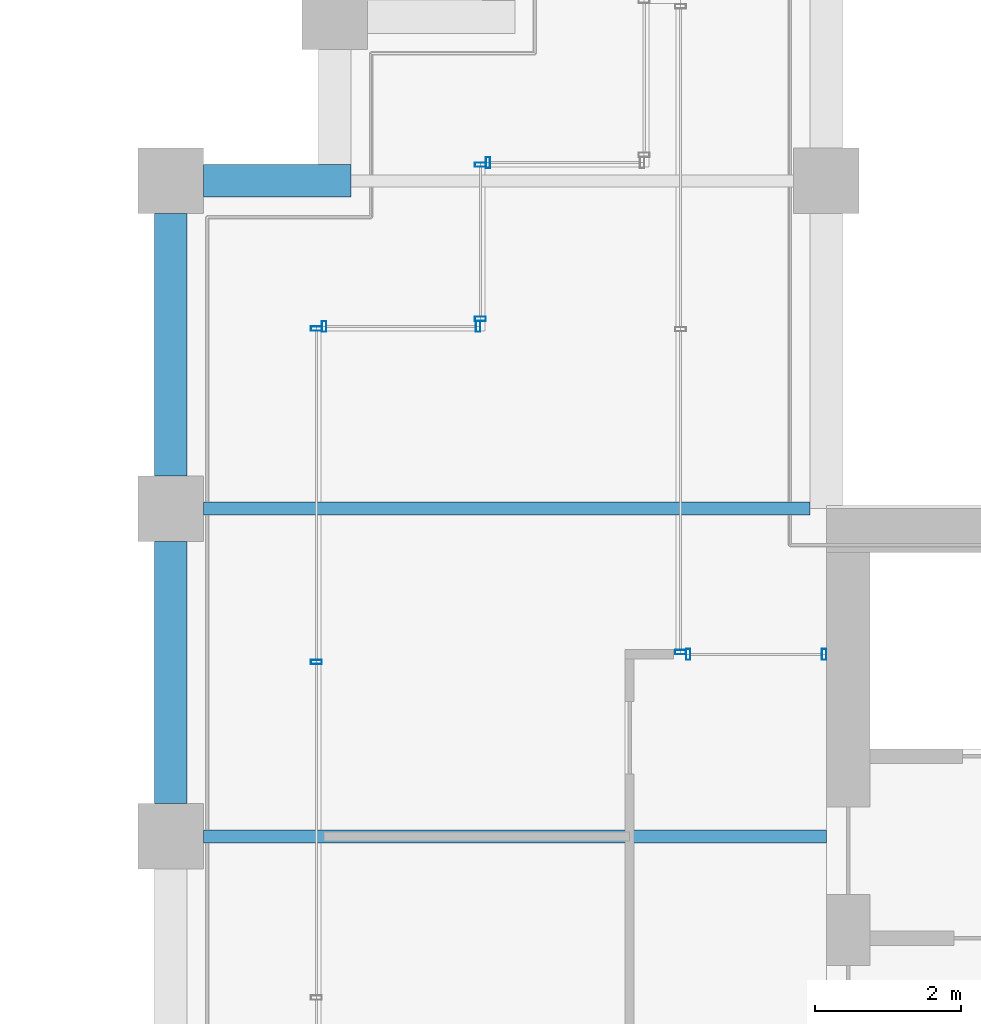
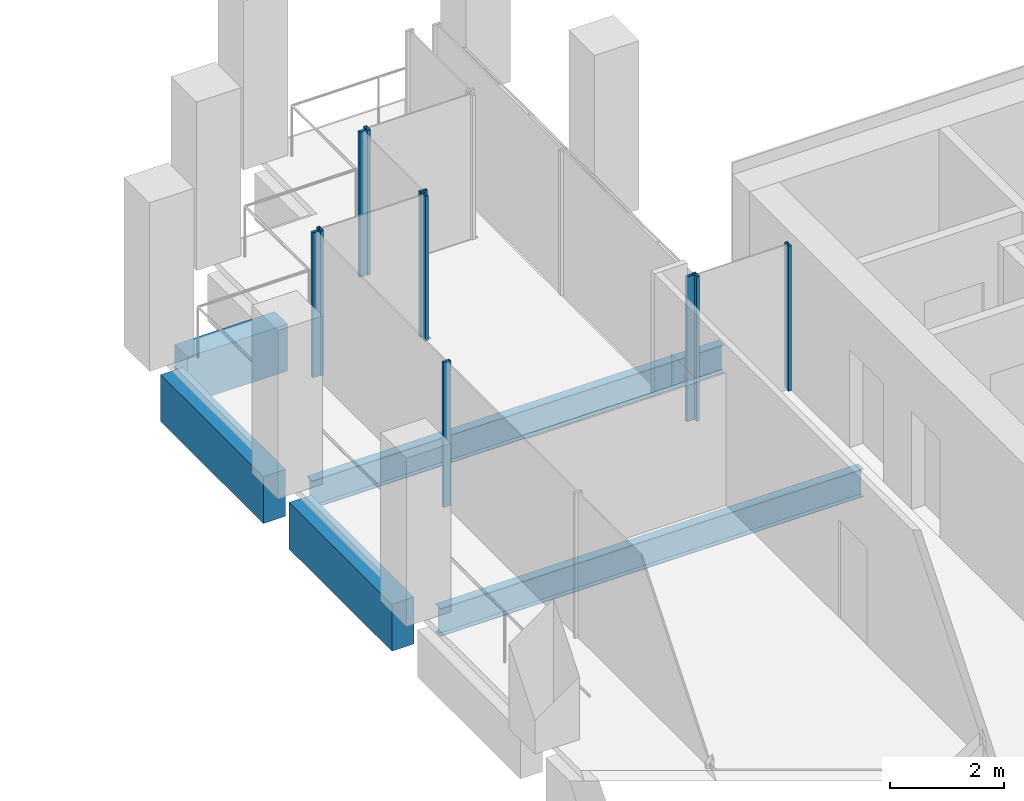
# One storey, part 32 of 40: 10 members, 5 beams, 6 elements without a shape of their own.
"""IFC4 building model written with IfcOpenShell, lengths in metres."""

from ifc_helpers import new_model, si_unit, direction, frame, origin, origin_2d, place, context, subcontext, project, spatial, rectangle, hollow_rectangle, i_section, extrude, material, material_profile, profile_set, type_object, element, aggregate, save


model = new_model("IFC4")

# Units and contexts
model_context = context("Model", 3, precision=1e-05, world=origin(), true_north=direction((0.0, 1.0)))
body_context = subcontext(model_context, "Body", "Model", "MODEL_VIEW")
ifc_project = project(units=[si_unit("LENGTHUNIT", "METRE"), si_unit("AREAUNIT", "SQUARE_METRE"), si_unit("VOLUMEUNIT", "CUBIC_METRE"), si_unit("PLANEANGLEUNIT", "RADIAN"), si_unit("MASSUNIT", "GRAM", prefix="KILO")], contexts=[model_context])

# Site, building, storey
site_placement = place(None, origin())
site = spatial("IfcSite", under=ifc_project, at=site_placement, CompositionType="ELEMENT")
building_placement = place(site_placement, origin())
building = spatial("IfcBuilding", under=site, at=building_placement, Name="Altepetl Exchange Towers", CompositionType="ELEMENT")
storey_placement = place(building_placement, frame((0.0, 0.0, 158.199951171875)))
storey = spatial("IfcBuildingStorey", under=building, at=storey_placement, Name="L39", CompositionType="ELEMENT", Elevation=158.199951171875)

# Beams
ifc_material_1 = material(Name="Steel S355", Category="steel")
ifc_material_profile_1 = material_profile(ifc_material_1, i_section(OverallWidth=0.177978515625, OverallDepth=0.59912109375, WebThickness=0.010009765625, FlangeThickness=0.0126953125, at=origin_2d()), Name="W24X55")
ifc_profile_set_1 = profile_set([ifc_material_profile_1], Name="Steel S355")
beam_type_1 = type_object("IfcBeamType", Name="Floor beam W24X55", PredefinedType="BEAM", material=ifc_profile_set_1)
beam_1_placement = place(storey_placement, frame((94.949951171875, 45.0, -0.449462890625), z_axis=(1.0, 0.0, 0.0), x_axis=(0.0, 1.0, 0.0)))
element("IfcBeam", 1, at=beam_1_placement, inside=storey, type_object=beam_type_1, Name="bm:B:L39:005", PredefinedType="BEAM", context=body_context, shape_type="SweptSolid", body=[
    extrude(i_section(OverallWidth=0.177978515625, OverallDepth=0.59912109375, WebThickness=0.010009765625, FlangeThickness=0.0126953125, at=origin_2d()), origin(), (0.0, 0.0, 1.0), 8.550048828125),
])
beam_2_placement = place(storey_placement, frame((94.949951171875, 49.5, -0.449462890625), z_axis=(1.0, 0.0, 0.0), x_axis=(0.0, 1.0, 0.0)))
element("IfcBeam", 2, at=beam_2_placement, inside=storey, type_object=beam_type_1, Name="bm:B:L39:006", PredefinedType="BEAM", context=body_context, shape_type="SweptSolid", body=[
    extrude(i_section(OverallWidth=0.177978515625, OverallDepth=0.59912109375, WebThickness=0.010009765625, FlangeThickness=0.0126953125, at=origin_2d()), origin(), (0.0, 0.0, 1.0), 8.324951171875),
])

# Curtain wall, members
ifc_material_2 = material(Name="Aluminium 6063-T6 glazing", Category="aluminium")
curtain_wall_type = type_object("IfcCurtainWallType", Name="Loggia glazing system", PredefinedType="NOTDEFINED", material=ifc_material_2)
curtain_wall_1_placement = place(storey_placement, origin())
curtain_wall_1 = element("IfcCurtainWall", 3, at=curtain_wall_1_placement, inside=storey, type_object=curtain_wall_type, Name="CW1 run", PredefinedType="NOTDEFINED")
ifc_material_3 = material(Name="Aluminium 6063-T6", Category="aluminium")
ifc_material_profile_2 = material_profile(ifc_material_3, hollow_rectangle(XDim=0.06005859375, YDim=0.14990234375, WallThickness=0.0029296875, at=origin_2d()), Name="Mullion 60x150 aluminium")
ifc_profile_set_2 = profile_set([ifc_material_profile_2], Name="Aluminium 6063-T6")
member_type = type_object("IfcMemberType", Name="Mullion 60x150 aluminium", PredefinedType="MULLION", material=ifc_profile_set_2)
member_1_placement = place(storey_placement, frame((103.469970703125, 47.5, 0.0), z_axis=(0.0, 0.0, 1.0), x_axis=(-1.0, 0.0, 0.0)))
member_1 = element("IfcMember", 4, at=member_1_placement, type_object=member_type, Name="MU1 mullion", PredefinedType="MULLION", context=body_context, shape_type="SweptSolid", body=[
    extrude(hollow_rectangle(XDim=0.06005859375, YDim=0.14990234375, WallThickness=0.0029296875, at=origin_2d()), origin(), (0.0, 0.0, 1.0), 3.10009765625),
])
member_2_placement = place(storey_placement, frame((101.60498046875, 47.5, 0.0), z_axis=(0.0, 0.0, 1.0), x_axis=(-1.0, 0.0, 0.0)))
member_2 = element("IfcMember", 5, at=member_2_placement, type_object=member_type, Name="MU1 mullion", PredefinedType="MULLION", context=body_context, shape_type="SweptSolid", body=[
    extrude(hollow_rectangle(XDim=0.06005859375, YDim=0.14990234375, WallThickness=0.0029296875, at=origin_2d()), origin(), (0.0, 0.0, 1.0), 3.10009765625),
])
aggregate(curtain_wall_1, [member_1, member_2])

# Curtain wall, member
curtain_wall_2_placement = place(storey_placement, origin())
curtain_wall_2 = element("IfcCurtainWall", 6, at=curtain_wall_2_placement, inside=storey, type_object=curtain_wall_type, Name="CW1 run", PredefinedType="NOTDEFINED")
member_3_placement = place(storey_placement, frame((101.5, 47.530029296875, 0.0), z_axis=(0.0, 0.0, 1.0), x_axis=(0.0, 1.0, 0.0)))
member_3 = element("IfcMember", 7, at=member_3_placement, type_object=member_type, Name="MU1 mullion", PredefinedType="MULLION", context=body_context, shape_type="SweptSolid", body=[
    extrude(hollow_rectangle(XDim=0.06005859375, YDim=0.14990234375, WallThickness=0.0029296875, at=origin_2d()), origin(), (0.0, 0.0, 1.0), 3.10009765625),
])
aggregate(curtain_wall_2, [member_3])

curtain_wall_3_placement = place(storey_placement, origin())
curtain_wall_3 = element("IfcCurtainWall", 8, at=curtain_wall_3_placement, inside=storey, type_object=curtain_wall_type, Name="CW1 run", PredefinedType="NOTDEFINED")
member_4_placement = place(storey_placement, frame((98.85498046875, 54.25, 0.0), z_axis=(0.0, 0.0, 1.0), x_axis=(-1.0, 0.0, 0.0)))
member_4 = element("IfcMember", 9, at=member_4_placement, type_object=member_type, Name="MU1 mullion", PredefinedType="MULLION", context=body_context, shape_type="SweptSolid", body=[
    extrude(hollow_rectangle(XDim=0.06005859375, YDim=0.14990234375, WallThickness=0.0029296875, at=origin_2d()), origin(), (0.0, 0.0, 1.0), 3.10009765625),
])
aggregate(curtain_wall_3, [member_4])

# Curtain wall, members
curtain_wall_4_placement = place(storey_placement, origin())
curtain_wall_4 = element("IfcCurtainWall", 10, at=curtain_wall_4_placement, inside=storey, type_object=curtain_wall_type, Name="CW1 run", PredefinedType="NOTDEFINED")
member_5_placement = place(storey_placement, frame((98.75, 54.219970703125, 0.0), z_axis=(0.0, 0.0, 1.0), x_axis=(0.0, -1.0, 0.0)))
member_5 = element("IfcMember", 11, at=member_5_placement, type_object=member_type, Name="MU1 mullion", PredefinedType="MULLION", context=body_context, shape_type="SweptSolid", body=[
    extrude(hollow_rectangle(XDim=0.06005859375, YDim=0.14990234375, WallThickness=0.0029296875, at=origin_2d()), origin(), (0.0, 0.0, 1.0), 3.10009765625),
])
member_6_placement = place(storey_placement, frame((98.75, 52.10498046875, 0.0), z_axis=(0.0, 0.0, 1.0), x_axis=(0.0, -1.0, 0.0)))
member_6 = element("IfcMember", 12, at=member_6_placement, type_object=member_type, Name="MU1 mullion", PredefinedType="MULLION", context=body_context, shape_type="SweptSolid", body=[
    extrude(hollow_rectangle(XDim=0.06005859375, YDim=0.14990234375, WallThickness=0.0029296875, at=origin_2d()), origin(), (0.0, 0.0, 1.0), 3.10009765625),
])
aggregate(curtain_wall_4, [member_5, member_6])

curtain_wall_5_placement = place(storey_placement, origin())
curtain_wall_5 = element("IfcCurtainWall", 13, at=curtain_wall_5_placement, inside=storey, type_object=curtain_wall_type, Name="CW1 run", PredefinedType="NOTDEFINED")
member_7_placement = place(storey_placement, frame((98.719970703125, 52.0, 0.0), z_axis=(0.0, 0.0, 1.0), x_axis=(-1.0, 0.0, 0.0)))
member_7 = element("IfcMember", 14, at=member_7_placement, type_object=member_type, Name="MU1 mullion", PredefinedType="MULLION", context=body_context, shape_type="SweptSolid", body=[
    extrude(hollow_rectangle(XDim=0.06005859375, YDim=0.14990234375, WallThickness=0.0029296875, at=origin_2d()), origin(), (0.0, 0.0, 1.0), 3.10009765625),
])
member_8_placement = place(storey_placement, frame((96.60498046875, 52.0, 0.0), z_axis=(0.0, 0.0, 1.0), x_axis=(-1.0, 0.0, 0.0)))
member_8 = element("IfcMember", 15, at=member_8_placement, type_object=member_type, Name="MU1 mullion", PredefinedType="MULLION", context=body_context, shape_type="SweptSolid", body=[
    extrude(hollow_rectangle(XDim=0.06005859375, YDim=0.14990234375, WallThickness=0.0029296875, at=origin_2d()), origin(), (0.0, 0.0, 1.0), 3.10009765625),
])
aggregate(curtain_wall_5, [member_7, member_8])

curtain_wall_6_placement = place(storey_placement, origin())
curtain_wall_6 = element("IfcCurtainWall", 16, at=curtain_wall_6_placement, inside=storey, type_object=curtain_wall_type, Name="CW1 run", PredefinedType="NOTDEFINED")
member_9_placement = place(storey_placement, frame((96.5, 51.969970703125, 0.0), z_axis=(0.0, 0.0, 1.0), x_axis=(0.0, -1.0, 0.0)))
member_9 = element("IfcMember", 17, at=member_9_placement, type_object=member_type, Name="MU1 mullion", PredefinedType="MULLION", context=body_context, shape_type="SweptSolid", body=[
    extrude(hollow_rectangle(XDim=0.06005859375, YDim=0.14990234375, WallThickness=0.0029296875, at=origin_2d()), origin(), (0.0, 0.0, 1.0), 3.10009765625),
])
member_10_placement = place(storey_placement, frame((96.5, 47.393798828125, 0.0), z_axis=(0.0, 0.0, 1.0), x_axis=(0.0, -1.0, 0.0)))
member_10 = element("IfcMember", 18, at=member_10_placement, type_object=member_type, Name="MU1 mullion", PredefinedType="MULLION", context=body_context, shape_type="SweptSolid", body=[
    extrude(hollow_rectangle(XDim=0.06005859375, YDim=0.14990234375, WallThickness=0.0029296875, at=origin_2d()), origin(), (0.0, 0.0, 1.0), 3.10009765625),
])
aggregate(curtain_wall_6, [member_9, member_10])

# Beams
ifc_material_4 = material(Name="Concrete C50/60 precast with cantera rosa facing", Category="concrete")
ifc_material_profile_3 = material_profile(ifc_material_4, rectangle(XDim=0.449951171875, YDim=1.0, at=origin_2d()), Name="450 x 1000")
ifc_profile_set_3 = profile_set([ifc_material_profile_3], Name="Concrete C50/60 precast with cantera rosa facing")
beam_type_2 = type_object("IfcBeamType", Name="Spandrel beam 450x1000 cantera rosa", PredefinedType="SPANDREL", material=ifc_profile_set_3)
beam_3_placement = place(storey_placement, frame((96.97509765625, 54.0, -0.64990234375), z_axis=(-1.0, 0.0, 0.0), x_axis=(0.0, -1.0, 0.0)))
element("IfcBeam", 19, at=beam_3_placement, inside=storey, type_object=beam_type_2, Name="sp:B:L39:014", PredefinedType="SPANDREL", context=body_context, shape_type="SweptSolid", body=[
    extrude(rectangle(XDim=0.449951171875, YDim=1.0, at=origin_2d()), origin(), (0.0, 0.0, 1.0), 2.025146484375),
])
for number, where, z_axis, x_axis, name in (
    (20, (94.5, 53.550048828125, -0.64990234375), (0.0, -1.0, 0.0), (1.0, 0.0, 0.0), "sp:B:L39:015"),
    (21, (94.5, 49.050048828125, -0.64990234375), (0.0, -1.0, 0.0), (1.0, 0.0, 0.0), "sp:B:L39:016"),
):
    element("IfcBeam", number, at=place(storey_placement, frame(where, z_axis=z_axis, x_axis=x_axis)), inside=storey, type_object=beam_type_2, Name=name, PredefinedType="SPANDREL", context=body_context, shape_type="SweptSolid", body=[
        extrude(rectangle(XDim=0.449951171875, YDim=1.0, at=origin_2d()), origin(), (0.0, 0.0, 1.0), 3.60009765625),
    ])

save(model, "model.ifc")
